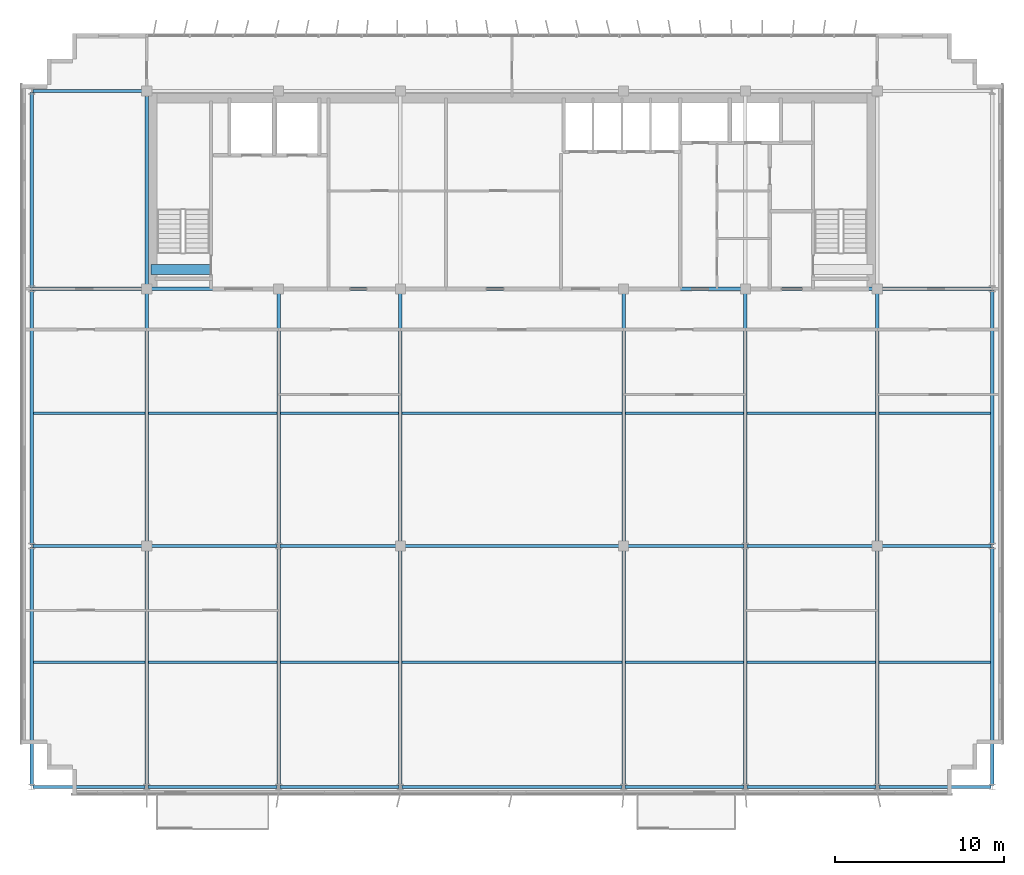
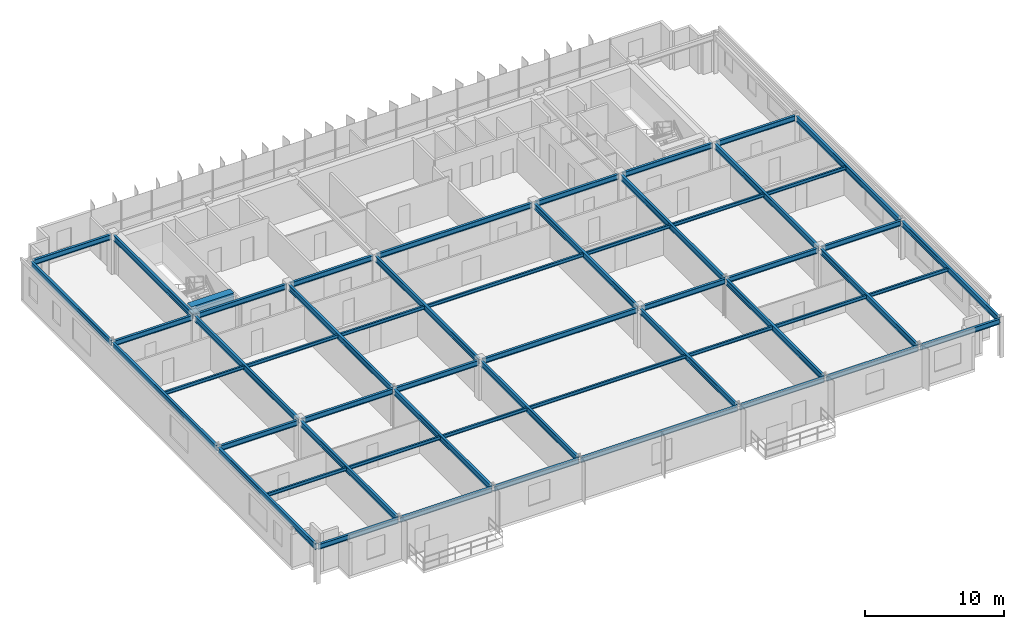
# One storey, part 5 of 21: 55 beams.
"""IFC4 building model written with IfcOpenShell, lengths in metres."""

from ifc_helpers import new_model, si_unit, direction, frame, origin, origin_2d, place, context, subcontext, project, spatial, rectangle, i_section, extrude, source, transform, mapped, material, material_profile, profile_set, type_object, element, save


model = new_model("IFC4")

# Units and contexts
model_context = context("Model", 3, precision=1e-05, world=origin(), true_north=direction((0.0, 1.0)))
body_context = subcontext(model_context, "Body", "Model", "MODEL_VIEW")
ifc_project = project(units=[si_unit("LENGTHUNIT", "METRE"), si_unit("AREAUNIT", "SQUARE_METRE"), si_unit("VOLUMEUNIT", "CUBIC_METRE"), si_unit("PLANEANGLEUNIT", "RADIAN"), si_unit("MASSUNIT", "GRAM", prefix="KILO")], contexts=[model_context])

# Site, building, storey
site_placement = place(None, origin())
site = spatial("IfcSite", under=ifc_project, at=site_placement, CompositionType="ELEMENT")
building_placement = place(site_placement, origin())
building = spatial("IfcBuilding", under=site, at=building_placement, Name="Trelvane Seafront Commons", CompositionType="ELEMENT")
storey_placement = place(building_placement, frame((0.0, 0.0, 255.89990234375)))
storey = spatial("IfcBuildingStorey", under=building, at=storey_placement, Name="L66", CompositionType="ELEMENT", Elevation=255.89990234375)

# Beams
ifc_material_1 = material(Name="Concrete C60/75", Category="concrete")
ifc_material_profile_1 = material_profile(ifc_material_1, rectangle(XDim=0.60009765625, YDim=0.89990234375, at=origin_2d()), Name="RC-600x900")
ifc_profile_set_1 = profile_set([ifc_material_profile_1], Name="Concrete C60/75")
beam_type_1 = type_object("IfcBeamType", Name="STR-LNT-RC600x900", PredefinedType="LINTEL", material=ifc_profile_set_1)
shared_shape_1 = source(origin(), body_context, "Body", "SweptSolid", [
    extrude(rectangle(XDim=0.60009765625, YDim=0.89990234375, at=origin_2d()), origin(), (0.0, 0.0, 1.0), 3.5498046875),
])
beam_1_placement = place(storey_placement, frame((15.85009765625, 34.550048828125, 2.920166015625), z_axis=(1.0, 0.0, 0.0), x_axis=(0.0, 1.0, 0.0)))
element("IfcBeam", 1, at=beam_1_placement, inside=storey, type_object=beam_type_1, Name="L66 Core Coupling Lintel Beam CB-67", PredefinedType="LINTEL", context=body_context, shape_type="MappedRepresentation", body=[
    mapped(shared_shape_1, transform((0.0, 0.0, 0.0), x_axis=(1.0, 0.0, 0.0), y_axis=(0.0, 1.0, 0.0), z_axis=(0.0, 0.0, 1.0), scale=1.0)),
])
ifc_material_2 = material(Name="Steel SM355 (S355)", Category="steel")
ifc_material_profile_2 = material_profile(ifc_material_2, i_section(OverallWidth=0.199951171875, OverallDepth=0.5, WebThickness=0.010009765625, FlangeThickness=0.01611328125, at=origin_2d()), Name="H-500x200x10x16")
ifc_profile_set_2 = profile_set([ifc_material_profile_2], Name="Steel SM355 (S355)")
beam_type_2 = type_object("IfcBeamType", Name="STR-BM-H500", PredefinedType="BEAM", material=ifc_profile_set_2)
shared_shape_2 = source(origin(), body_context, "Body", "SweptSolid", [
    extrude(i_section(OverallWidth=0.199951171875, OverallDepth=0.5, WebThickness=0.010009765625, FlangeThickness=0.01611328125, at=origin_2d()), origin(), (0.0, 0.0, 1.0), 14.89990234375),
])
for number, where, z_axis, x_axis, name in (
    (2, (15.60009765625, 18.35009765625, 3.1201171875), (0.0, 1.0, 0.0), (-1.0, 0.0, 0.0), "L66 Primary Girder G-33"),
    (3, (30.60009765625, 18.35009765625, 3.1201171875), (0.0, 1.0, 0.0), (-1.0, 0.0, 0.0), "L66 Primary Girder G-39"),
    (4, (43.800048828125, 18.35009765625, 3.1201171875), (0.0, 1.0, 0.0), (-1.0, 0.0, 0.0), "L66 Primary Girder G-42"),
    (5, (58.800048828125, 18.35009765625, 3.1201171875), (0.0, 1.0, 0.0), (-1.0, 0.0, 0.0), "L66 Primary Girder G-48"),
):
    element("IfcBeam", number, at=place(storey_placement, frame(where, z_axis=z_axis, x_axis=x_axis)), inside=storey, type_object=beam_type_2, Name=name, PredefinedType="BEAM", context=body_context, shape_type="MappedRepresentation", body=[
        mapped(shared_shape_2, transform((0.0, 0.0, 0.0), x_axis=(1.0, 0.0, 0.0), y_axis=(0.0, 1.0, 0.0), z_axis=(0.0, 0.0, 1.0), scale=1.0)),
    ])
shared_shape_3 = source(origin(), body_context, "Body", "SweptSolid", [
    extrude(i_section(OverallWidth=0.199951171875, OverallDepth=0.5, WebThickness=0.010009765625, FlangeThickness=0.01611328125, at=origin_2d()), origin(), (0.0, 0.0, 1.0), 11.39990234375),
])
beam_2_placement = place(storey_placement, frame((15.60009765625, 33.550048828125, 3.1201171875), z_axis=(0.0, 1.0, 0.0), x_axis=(-1.0, 0.0, 0.0)))
element("IfcBeam", 6, at=beam_2_placement, inside=storey, type_object=beam_type_2, Name="L66 Primary Girder G-34", PredefinedType="BEAM", context=body_context, shape_type="MappedRepresentation", body=[
    mapped(shared_shape_3, transform((0.0, 0.0, 0.0), x_axis=(1.0, 0.0, 0.0), y_axis=(0.0, 1.0, 0.0), z_axis=(0.0, 0.0, 1.0), scale=1.0)),
])
ifc_material_profile_3 = material_profile(ifc_material_2, i_section(OverallWidth=0.199951171875, OverallDepth=0.449951171875, WebThickness=0.009033203125, FlangeThickness=0.013916015625, at=origin_2d()), Name="H-450x200x9x14")
ifc_profile_set_3 = profile_set([ifc_material_profile_3], Name="Steel SM355 (S355)")
beam_type_3 = type_object("IfcBeamType", Name="STR-SPD-H450", PredefinedType="SPANDREL", material=ifc_profile_set_3)
shared_shape_4 = source(origin(), body_context, "Body", "SweptSolid", [
    extrude(i_section(OverallWidth=0.199951171875, OverallDepth=0.449951171875, WebThickness=0.009033203125, FlangeThickness=0.013916015625, at=origin_2d()), origin(), (0.0, 0.0, 1.0), 6.625),
])
for number, where, z_axis, x_axis, name in (
    (7, (8.887451171875, 3.949951171875, 3.14501953125), (1.0, 0.0, 0.0), (0.0, 1.0, 0.0), "L66 Primary Girder G-01"),
    (8, (58.887451171875, 3.949951171875, 3.14501953125), (1.0, 0.0, 0.0), (0.0, 1.0, 0.0), "L66 Primary Girder G-07"),
):
    element("IfcBeam", number, at=place(storey_placement, frame(where, z_axis=z_axis, x_axis=x_axis)), inside=storey, type_object=beam_type_3, Name=name, PredefinedType="SPANDREL", context=body_context, shape_type="MappedRepresentation", body=[
        mapped(shared_shape_4, transform((0.0, 0.0, 0.0), x_axis=(1.0, 0.0, 0.0), y_axis=(0.0, 1.0, 0.0), z_axis=(0.0, 0.0, 1.0), scale=1.0)),
    ])
shared_shape_5 = source(origin(), body_context, "Body", "SweptSolid", [
    extrude(i_section(OverallWidth=0.199951171875, OverallDepth=0.449951171875, WebThickness=0.009033203125, FlangeThickness=0.013916015625, at=origin_2d()), origin(), (0.0, 0.0, 1.0), 7.625),
])
for number, where, z_axis, x_axis, name in (
    (9, (15.6875, 3.949951171875, 3.14501953125), (1.0, 0.0, 0.0), (0.0, 1.0, 0.0), "L66 Primary Girder G-02"),
    (10, (51.08740234375, 3.949951171875, 3.14501953125), (1.0, 0.0, 0.0), (0.0, 1.0, 0.0), "L66 Primary Girder G-06"),
):
    element("IfcBeam", number, at=place(storey_placement, frame(where, z_axis=z_axis, x_axis=x_axis)), inside=storey, type_object=beam_type_3, Name=name, PredefinedType="SPANDREL", context=body_context, shape_type="MappedRepresentation", body=[
        mapped(shared_shape_5, transform((0.0, 0.0, 0.0), x_axis=(1.0, 0.0, 0.0), y_axis=(0.0, 1.0, 0.0), z_axis=(0.0, 0.0, 1.0), scale=1.0)),
    ])
shared_shape_6 = source(origin(), body_context, "Body", "SweptSolid", [
    extrude(i_section(OverallWidth=0.199951171875, OverallDepth=0.449951171875, WebThickness=0.009033203125, FlangeThickness=0.013916015625, at=origin_2d()), origin(), (0.0, 0.0, 1.0), 7.02490234375),
])
beam_3_placement = place(storey_placement, frame((23.487548828125, 3.949951171875, 3.14501953125), z_axis=(1.0, 0.0, 0.0), x_axis=(0.0, 1.0, 0.0)))
element("IfcBeam", 11, at=beam_3_placement, inside=storey, type_object=beam_type_3, Name="L66 Primary Girder G-03", PredefinedType="SPANDREL", context=body_context, shape_type="MappedRepresentation", body=[
    mapped(shared_shape_6, transform((0.0, 0.0, 0.0), x_axis=(1.0, 0.0, 0.0), y_axis=(0.0, 1.0, 0.0), z_axis=(0.0, 0.0, 1.0), scale=1.0)),
])
shared_shape_7 = source(origin(), body_context, "Body", "SweptSolid", [
    extrude(i_section(OverallWidth=0.199951171875, OverallDepth=0.449951171875, WebThickness=0.009033203125, FlangeThickness=0.013916015625, at=origin_2d()), origin(), (0.0, 0.0, 1.0), 7.025146484375),
])
beam_4_placement = place(storey_placement, frame((43.887451171875, 3.949951171875, 3.14501953125), z_axis=(1.0, 0.0, 0.0), x_axis=(0.0, 1.0, 0.0)))
element("IfcBeam", 12, at=beam_4_placement, inside=storey, type_object=beam_type_3, Name="L66 Primary Girder G-05", PredefinedType="SPANDREL", context=body_context, shape_type="MappedRepresentation", body=[
    mapped(shared_shape_7, transform((0.0, 0.0, 0.0), x_axis=(1.0, 0.0, 0.0), y_axis=(0.0, 1.0, 0.0), z_axis=(0.0, 0.0, 1.0), scale=1.0)),
])
shared_shape_8 = source(origin(), body_context, "Body", "SweptSolid", [
    extrude(i_section(OverallWidth=0.199951171875, OverallDepth=0.449951171875, WebThickness=0.009033203125, FlangeThickness=0.013916015625, at=origin_2d()), origin(), (0.0, 0.0, 1.0), 6.5625),
])
for number, where, z_axis, x_axis, name in (
    (13, (8.887451171875, 18.199951171875, 3.14501953125), (1.0, 0.0, 0.0), (0.0, 1.0, 0.0), "L66 Primary Girder G-08"),
    (14, (58.949951171875, 18.199951171875, 3.14501953125), (1.0, 0.0, 0.0), (0.0, 1.0, 0.0), "L66 Primary Girder G-14"),
    (15, (8.887451171875, 33.39990234375, 3.14501953125), (1.0, 0.0, 0.0), (0.0, 1.0, 0.0), "L66 Primary Girder G-15"),
    (16, (58.949951171875, 33.39990234375, 3.14501953125), (1.0, 0.0, 0.0), (0.0, 1.0, 0.0), "L66 Primary Girder G-21"),
    (17, (8.887451171875, 45.10009765625, 3.14501953125), (1.0, 0.0, 0.0), (0.0, 1.0, 0.0), "L66 Primary Girder G-22"),
):
    element("IfcBeam", number, at=place(storey_placement, frame(where, z_axis=z_axis, x_axis=x_axis)), inside=storey, type_object=beam_type_3, Name=name, PredefinedType="SPANDREL", context=body_context, shape_type="MappedRepresentation", body=[
        mapped(shared_shape_8, transform((0.0, 0.0, 0.0), x_axis=(1.0, 0.0, 0.0), y_axis=(0.0, 1.0, 0.0), z_axis=(0.0, 0.0, 1.0), scale=1.0)),
    ])
shared_shape_9 = source(origin(), body_context, "Body", "SweptSolid", [
    extrude(i_section(OverallWidth=0.199951171875, OverallDepth=0.449951171875, WebThickness=0.009033203125, FlangeThickness=0.013916015625, at=origin_2d()), origin(), (0.0, 0.0, 1.0), 7.5625),
])
for number, where, z_axis, x_axis, name in (
    (18, (15.75, 18.199951171875, 3.14501953125), (1.0, 0.0, 0.0), (0.0, 1.0, 0.0), "L66 Primary Girder G-09"),
    (19, (51.08740234375, 18.199951171875, 3.14501953125), (1.0, 0.0, 0.0), (0.0, 1.0, 0.0), "L66 Primary Girder G-13"),
):
    element("IfcBeam", number, at=place(storey_placement, frame(where, z_axis=z_axis, x_axis=x_axis)), inside=storey, type_object=beam_type_3, Name=name, PredefinedType="SPANDREL", context=body_context, shape_type="MappedRepresentation", body=[
        mapped(shared_shape_9, transform((0.0, 0.0, 0.0), x_axis=(1.0, 0.0, 0.0), y_axis=(0.0, 1.0, 0.0), z_axis=(0.0, 0.0, 1.0), scale=1.0)),
    ])
shared_shape_10 = source(origin(), body_context, "Body", "SweptSolid", [
    extrude(i_section(OverallWidth=0.199951171875, OverallDepth=0.449951171875, WebThickness=0.009033203125, FlangeThickness=0.013916015625, at=origin_2d()), origin(), (0.0, 0.0, 1.0), 6.96240234375),
])
beam_5_placement = place(storey_placement, frame((23.487548828125, 18.199951171875, 3.14501953125), z_axis=(1.0, 0.0, 0.0), x_axis=(0.0, 1.0, 0.0)))
element("IfcBeam", 20, at=beam_5_placement, inside=storey, type_object=beam_type_3, Name="L66 Primary Girder G-10", PredefinedType="SPANDREL", context=body_context, shape_type="MappedRepresentation", body=[
    mapped(shared_shape_10, transform((0.0, 0.0, 0.0), x_axis=(1.0, 0.0, 0.0), y_axis=(0.0, 1.0, 0.0), z_axis=(0.0, 0.0, 1.0), scale=1.0)),
])
shared_shape_11 = source(origin(), body_context, "Body", "SweptSolid", [
    extrude(i_section(OverallWidth=0.199951171875, OverallDepth=0.449951171875, WebThickness=0.009033203125, FlangeThickness=0.013916015625, at=origin_2d()), origin(), (0.0, 0.0, 1.0), 6.962646484375),
])
beam_6_placement = place(storey_placement, frame((43.949951171875, 18.199951171875, 3.14501953125), z_axis=(1.0, 0.0, 0.0), x_axis=(0.0, 1.0, 0.0)))
element("IfcBeam", 21, at=beam_6_placement, inside=storey, type_object=beam_type_3, Name="L66 Primary Girder G-12", PredefinedType="SPANDREL", context=body_context, shape_type="MappedRepresentation", body=[
    mapped(shared_shape_11, transform((0.0, 0.0, 0.0), x_axis=(1.0, 0.0, 0.0), y_axis=(0.0, 1.0, 0.0), z_axis=(0.0, 0.0, 1.0), scale=1.0)),
])
shared_shape_12 = source(origin(), body_context, "Body", "SweptSolid", [
    extrude(i_section(OverallWidth=0.199951171875, OverallDepth=0.449951171875, WebThickness=0.009033203125, FlangeThickness=0.013916015625, at=origin_2d()), origin(), (0.0, 0.0, 1.0), 7.5),
])
for number, where, z_axis, x_axis, name in (
    (22, (15.75, 33.39990234375, 3.14501953125), (1.0, 0.0, 0.0), (0.0, 1.0, 0.0), "L66 Primary Girder G-16"),
    (23, (51.14990234375, 33.39990234375, 3.14501953125), (1.0, 0.0, 0.0), (0.0, 1.0, 0.0), "L66 Primary Girder G-20"),
):
    element("IfcBeam", number, at=place(storey_placement, frame(where, z_axis=z_axis, x_axis=x_axis)), inside=storey, type_object=beam_type_3, Name=name, PredefinedType="SPANDREL", context=body_context, shape_type="MappedRepresentation", body=[
        mapped(shared_shape_12, transform((0.0, 0.0, 0.0), x_axis=(1.0, 0.0, 0.0), y_axis=(0.0, 1.0, 0.0), z_axis=(0.0, 0.0, 1.0), scale=1.0)),
    ])
shared_shape_13 = source(origin(), body_context, "Body", "SweptSolid", [
    extrude(i_section(OverallWidth=0.199951171875, OverallDepth=0.449951171875, WebThickness=0.009033203125, FlangeThickness=0.013916015625, at=origin_2d()), origin(), (0.0, 0.0, 1.0), 6.89990234375),
])
beam_7_placement = place(storey_placement, frame((23.550048828125, 33.39990234375, 3.14501953125), z_axis=(1.0, 0.0, 0.0), x_axis=(0.0, 1.0, 0.0)))
element("IfcBeam", 24, at=beam_7_placement, inside=storey, type_object=beam_type_3, Name="L66 Primary Girder G-17", PredefinedType="SPANDREL", context=body_context, shape_type="MappedRepresentation", body=[
    mapped(shared_shape_13, transform((0.0, 0.0, 0.0), x_axis=(1.0, 0.0, 0.0), y_axis=(0.0, 1.0, 0.0), z_axis=(0.0, 0.0, 1.0), scale=1.0)),
])
shared_shape_14 = source(origin(), body_context, "Body", "SweptSolid", [
    extrude(i_section(OverallWidth=0.199951171875, OverallDepth=0.449951171875, WebThickness=0.009033203125, FlangeThickness=0.013916015625, at=origin_2d()), origin(), (0.0, 0.0, 1.0), 12.89990234375),
])
for number, where, z_axis, x_axis, name in (
    (25, (30.75, 18.199951171875, 3.14501953125), (1.0, 0.0, 0.0), (0.0, 1.0, 0.0), "L66 Primary Girder G-11"),
    (26, (30.75, 33.39990234375, 3.14501953125), (1.0, 0.0, 0.0), (0.0, 1.0, 0.0), "L66 Primary Girder G-18"),
):
    element("IfcBeam", number, at=place(storey_placement, frame(where, z_axis=z_axis, x_axis=x_axis)), inside=storey, type_object=beam_type_3, Name=name, PredefinedType="SPANDREL", context=body_context, shape_type="MappedRepresentation", body=[
        mapped(shared_shape_14, transform((0.0, 0.0, 0.0), x_axis=(1.0, 0.0, 0.0), y_axis=(0.0, 1.0, 0.0), z_axis=(0.0, 0.0, 1.0), scale=1.0)),
    ])
shared_shape_15 = source(origin(), body_context, "Body", "SweptSolid", [
    extrude(i_section(OverallWidth=0.199951171875, OverallDepth=0.449951171875, WebThickness=0.009033203125, FlangeThickness=0.013916015625, at=origin_2d()), origin(), (0.0, 0.0, 1.0), 6.900146484375),
])
beam_8_placement = place(storey_placement, frame((43.949951171875, 33.39990234375, 3.14501953125), z_axis=(1.0, 0.0, 0.0), x_axis=(0.0, 1.0, 0.0)))
element("IfcBeam", 27, at=beam_8_placement, inside=storey, type_object=beam_type_3, Name="L66 Primary Girder G-19", PredefinedType="SPANDREL", context=body_context, shape_type="MappedRepresentation", body=[
    mapped(shared_shape_15, transform((0.0, 0.0, 0.0), x_axis=(1.0, 0.0, 0.0), y_axis=(0.0, 1.0, 0.0), z_axis=(0.0, 0.0, 1.0), scale=1.0)),
])
shared_shape_16 = source(origin(), body_context, "Body", "SweptSolid", [
    extrude(i_section(OverallWidth=0.199951171875, OverallDepth=0.5, WebThickness=0.010009765625, FlangeThickness=0.01611328125, at=origin_2d()), origin(), (0.0, 0.0, 1.0), 14.074951171875),
])
for number, where, z_axis, x_axis, name in (
    (28, (8.800048828125, 4.03759765625, 3.1201171875), (0.0, 1.0, 0.0), (-1.0, 0.0, 0.0), "L66 Primary Girder G-29"),
    (29, (23.39990234375, 4.03759765625, 3.1201171875), (0.0, 1.0, 0.0), (-1.0, 0.0, 0.0), "L66 Primary Girder G-35"),
    (30, (51.0, 4.03759765625, 3.1201171875), (0.0, 1.0, 0.0), (-1.0, 0.0, 0.0), "L66 Primary Girder G-44"),
    (31, (65.60009765625, 4.03759765625, 3.1201171875), (0.0, 1.0, 0.0), (-1.0, 0.0, 0.0), "L66 Primary Girder G-50"),
):
    element("IfcBeam", number, at=place(storey_placement, frame(where, z_axis=z_axis, x_axis=x_axis)), inside=storey, type_object=beam_type_2, Name=name, PredefinedType="BEAM", context=body_context, shape_type="MappedRepresentation", body=[
        mapped(shared_shape_16, transform((0.0, 0.0, 0.0), x_axis=(1.0, 0.0, 0.0), y_axis=(0.0, 1.0, 0.0), z_axis=(0.0, 0.0, 1.0), scale=1.0)),
    ])
shared_shape_17 = source(origin(), body_context, "Body", "SweptSolid", [
    extrude(i_section(OverallWidth=0.199951171875, OverallDepth=0.5, WebThickness=0.010009765625, FlangeThickness=0.01611328125, at=origin_2d()), origin(), (0.0, 0.0, 1.0), 15.02490234375),
])
for number, where, z_axis, x_axis, name in (
    (32, (8.800048828125, 18.28759765625, 3.1201171875), (0.0, 1.0, 0.0), (-1.0, 0.0, 0.0), "L66 Primary Girder G-30"),
    (33, (65.60009765625, 18.28759765625, 3.1201171875), (0.0, 1.0, 0.0), (-1.0, 0.0, 0.0), "L66 Primary Girder G-51"),
):
    element("IfcBeam", number, at=place(storey_placement, frame(where, z_axis=z_axis, x_axis=x_axis)), inside=storey, type_object=beam_type_2, Name=name, PredefinedType="BEAM", context=body_context, shape_type="MappedRepresentation", body=[
        mapped(shared_shape_17, transform((0.0, 0.0, 0.0), x_axis=(1.0, 0.0, 0.0), y_axis=(0.0, 1.0, 0.0), z_axis=(0.0, 0.0, 1.0), scale=1.0)),
    ])
shared_shape_18 = source(origin(), body_context, "Body", "SweptSolid", [
    extrude(i_section(OverallWidth=0.199951171875, OverallDepth=0.5, WebThickness=0.010009765625, FlangeThickness=0.01611328125, at=origin_2d()), origin(), (0.0, 0.0, 1.0), 11.52490234375),
])
beam_9_placement = place(storey_placement, frame((8.800048828125, 33.487548828125, 3.1201171875), z_axis=(0.0, 1.0, 0.0), x_axis=(-1.0, 0.0, 0.0)))
element("IfcBeam", 34, at=beam_9_placement, inside=storey, type_object=beam_type_2, Name="L66 Primary Girder G-31", PredefinedType="BEAM", context=body_context, shape_type="MappedRepresentation", body=[
    mapped(shared_shape_18, transform((0.0, 0.0, 0.0), x_axis=(1.0, 0.0, 0.0), y_axis=(0.0, 1.0, 0.0), z_axis=(0.0, 0.0, 1.0), scale=1.0)),
])
shared_shape_19 = source(origin(), body_context, "Body", "SweptSolid", [
    extrude(i_section(OverallWidth=0.199951171875, OverallDepth=0.5, WebThickness=0.010009765625, FlangeThickness=0.01611328125, at=origin_2d()), origin(), (0.0, 0.0, 1.0), 14.012451171875),
])
for number, where, z_axis, x_axis, name in (
    (35, (15.60009765625, 4.03759765625, 3.1201171875), (0.0, 1.0, 0.0), (-1.0, 0.0, 0.0), "L66 Primary Girder G-32"),
    (36, (30.60009765625, 4.03759765625, 3.1201171875), (0.0, 1.0, 0.0), (-1.0, 0.0, 0.0), "L66 Primary Girder G-38"),
    (37, (43.800048828125, 4.03759765625, 3.1201171875), (0.0, 1.0, 0.0), (-1.0, 0.0, 0.0), "L66 Primary Girder G-41"),
    (38, (58.800048828125, 4.03759765625, 3.1201171875), (0.0, 1.0, 0.0), (-1.0, 0.0, 0.0), "L66 Primary Girder G-47"),
):
    element("IfcBeam", number, at=place(storey_placement, frame(where, z_axis=z_axis, x_axis=x_axis)), inside=storey, type_object=beam_type_2, Name=name, PredefinedType="BEAM", context=body_context, shape_type="MappedRepresentation", body=[
        mapped(shared_shape_19, transform((0.0, 0.0, 0.0), x_axis=(1.0, 0.0, 0.0), y_axis=(0.0, 1.0, 0.0), z_axis=(0.0, 0.0, 1.0), scale=1.0)),
    ])
shared_shape_20 = source(origin(), body_context, "Body", "SweptSolid", [
    extrude(i_section(OverallWidth=0.199951171875, OverallDepth=0.5, WebThickness=0.010009765625, FlangeThickness=0.01611328125, at=origin_2d()), origin(), (0.0, 0.0, 1.0), 14.96240234375),
])
for number, where, z_axis, x_axis, name in (
    (39, (23.39990234375, 18.28759765625, 3.1201171875), (0.0, 1.0, 0.0), (-1.0, 0.0, 0.0), "L66 Primary Girder G-36"),
    (40, (51.0, 18.28759765625, 3.1201171875), (0.0, 1.0, 0.0), (-1.0, 0.0, 0.0), "L66 Primary Girder G-45"),
):
    element("IfcBeam", number, at=place(storey_placement, frame(where, z_axis=z_axis, x_axis=x_axis)), inside=storey, type_object=beam_type_2, Name=name, PredefinedType="BEAM", context=body_context, shape_type="MappedRepresentation", body=[
        mapped(shared_shape_20, transform((0.0, 0.0, 0.0), x_axis=(1.0, 0.0, 0.0), y_axis=(0.0, 1.0, 0.0), z_axis=(0.0, 0.0, 1.0), scale=1.0)),
    ])
ifc_material_profile_4 = material_profile(ifc_material_2, i_section(OverallWidth=0.14990234375, OverallDepth=0.300048828125, WebThickness=0.006591796875, FlangeThickness=0.009033203125, at=origin_2d()), Name="H-300x150x6.5x9")
ifc_profile_set_4 = profile_set([ifc_material_profile_4], Name="Steel SM355 (S355)")
beam_type_4 = type_object("IfcBeamType", Name="STR-JST-H300", PredefinedType="JOIST", material=ifc_profile_set_4)
shared_shape_21 = source(origin(), body_context, "Body", "SweptSolid", [
    extrude(i_section(OverallWidth=0.14990234375, OverallDepth=0.300048828125, WebThickness=0.006591796875, FlangeThickness=0.009033203125, at=origin_2d()), origin(), (0.0, 0.0, 1.0), 6.60009765625),
])
for number, where, z_axis, x_axis, name in (
    (41, (8.89990234375, 11.324951171875, 3.22021484375), (1.0, 0.0, 0.0), (0.0, 1.0, 0.0), "L66 Secondary Floor Joist B-53"),
    (42, (58.89990234375, 11.324951171875, 3.22021484375), (1.0, 0.0, 0.0), (0.0, 1.0, 0.0), "L66 Secondary Floor Joist B-59"),
    (43, (8.89990234375, 26.050048828125, 3.22021484375), (1.0, 0.0, 0.0), (0.0, 1.0, 0.0), "L66 Secondary Floor Joist B-60"),
    (44, (58.89990234375, 26.050048828125, 3.22021484375), (1.0, 0.0, 0.0), (0.0, 1.0, 0.0), "L66 Secondary Floor Joist B-66"),
):
    element("IfcBeam", number, at=place(storey_placement, frame(where, z_axis=z_axis, x_axis=x_axis)), inside=storey, type_object=beam_type_4, Name=name, PredefinedType="JOIST", context=body_context, shape_type="MappedRepresentation", body=[
        mapped(shared_shape_21, transform((0.0, 0.0, 0.0), x_axis=(1.0, 0.0, 0.0), y_axis=(0.0, 1.0, 0.0), z_axis=(0.0, 0.0, 1.0), scale=1.0)),
    ])
shared_shape_22 = source(origin(), body_context, "Body", "SweptSolid", [
    extrude(i_section(OverallWidth=0.14990234375, OverallDepth=0.300048828125, WebThickness=0.006591796875, FlangeThickness=0.009033203125, at=origin_2d()), origin(), (0.0, 0.0, 1.0), 7.60009765625),
])
for number, where, z_axis, x_axis, name in (
    (45, (15.699951171875, 11.324951171875, 3.22021484375), (1.0, 0.0, 0.0), (0.0, 1.0, 0.0), "L66 Secondary Floor Joist B-54"),
    (46, (15.699951171875, 26.050048828125, 3.22021484375), (1.0, 0.0, 0.0), (0.0, 1.0, 0.0), "L66 Secondary Floor Joist B-61"),
):
    element("IfcBeam", number, at=place(storey_placement, frame(where, z_axis=z_axis, x_axis=x_axis)), inside=storey, type_object=beam_type_4, Name=name, PredefinedType="JOIST", context=body_context, shape_type="MappedRepresentation", body=[
        mapped(shared_shape_22, transform((0.0, 0.0, 0.0), x_axis=(1.0, 0.0, 0.0), y_axis=(0.0, 1.0, 0.0), z_axis=(0.0, 0.0, 1.0), scale=1.0)),
    ])
shared_shape_23 = source(origin(), body_context, "Body", "SweptSolid", [
    extrude(i_section(OverallWidth=0.14990234375, OverallDepth=0.300048828125, WebThickness=0.006591796875, FlangeThickness=0.009033203125, at=origin_2d()), origin(), (0.0, 0.0, 1.0), 7.0),
])
for number, where, z_axis, x_axis, name in (
    (47, (23.5, 11.324951171875, 3.22021484375), (1.0, 0.0, 0.0), (0.0, 1.0, 0.0), "L66 Secondary Floor Joist B-55"),
    (48, (43.89990234375, 11.324951171875, 3.22021484375), (1.0, 0.0, 0.0), (0.0, 1.0, 0.0), "L66 Secondary Floor Joist B-57"),
    (49, (23.5, 26.050048828125, 3.22021484375), (1.0, 0.0, 0.0), (0.0, 1.0, 0.0), "L66 Secondary Floor Joist B-62"),
    (50, (43.89990234375, 26.050048828125, 3.22021484375), (1.0, 0.0, 0.0), (0.0, 1.0, 0.0), "L66 Secondary Floor Joist B-64"),
):
    element("IfcBeam", number, at=place(storey_placement, frame(where, z_axis=z_axis, x_axis=x_axis)), inside=storey, type_object=beam_type_4, Name=name, PredefinedType="JOIST", context=body_context, shape_type="MappedRepresentation", body=[
        mapped(shared_shape_23, transform((0.0, 0.0, 0.0), x_axis=(1.0, 0.0, 0.0), y_axis=(0.0, 1.0, 0.0), z_axis=(0.0, 0.0, 1.0), scale=1.0)),
    ])
shared_shape_24 = source(origin(), body_context, "Body", "SweptSolid", [
    extrude(i_section(OverallWidth=0.14990234375, OverallDepth=0.300048828125, WebThickness=0.006591796875, FlangeThickness=0.009033203125, at=origin_2d()), origin(), (0.0, 0.0, 1.0), 7.599853515625),
])
for number, where, z_axis, x_axis, name in (
    (51, (51.10009765625, 11.324951171875, 3.22021484375), (1.0, 0.0, 0.0), (0.0, 1.0, 0.0), "L66 Secondary Floor Joist B-58"),
    (52, (51.10009765625, 26.050048828125, 3.22021484375), (1.0, 0.0, 0.0), (0.0, 1.0, 0.0), "L66 Secondary Floor Joist B-65"),
):
    element("IfcBeam", number, at=place(storey_placement, frame(where, z_axis=z_axis, x_axis=x_axis)), inside=storey, type_object=beam_type_4, Name=name, PredefinedType="JOIST", context=body_context, shape_type="MappedRepresentation", body=[
        mapped(shared_shape_24, transform((0.0, 0.0, 0.0), x_axis=(1.0, 0.0, 0.0), y_axis=(0.0, 1.0, 0.0), z_axis=(0.0, 0.0, 1.0), scale=1.0)),
    ])
shared_shape_25 = source(origin(), body_context, "Body", "SweptSolid", [
    extrude(i_section(OverallWidth=0.14990234375, OverallDepth=0.300048828125, WebThickness=0.006591796875, FlangeThickness=0.009033203125, at=origin_2d()), origin(), (0.0, 0.0, 1.0), 13.0),
])
for number, where, z_axis, x_axis, name in (
    (53, (30.699951171875, 11.324951171875, 3.22021484375), (1.0, 0.0, 0.0), (0.0, 1.0, 0.0), "L66 Secondary Floor Joist B-56"),
    (54, (30.699951171875, 26.050048828125, 3.22021484375), (1.0, 0.0, 0.0), (0.0, 1.0, 0.0), "L66 Secondary Floor Joist B-63"),
):
    element("IfcBeam", number, at=place(storey_placement, frame(where, z_axis=z_axis, x_axis=x_axis)), inside=storey, type_object=beam_type_4, Name=name, PredefinedType="JOIST", context=body_context, shape_type="MappedRepresentation", body=[
        mapped(shared_shape_25, transform((0.0, 0.0, 0.0), x_axis=(1.0, 0.0, 0.0), y_axis=(0.0, 1.0, 0.0), z_axis=(0.0, 0.0, 1.0), scale=1.0)),
    ])
shared_shape_26 = source(origin(), body_context, "Body", "SweptSolid", [
    extrude(i_section(OverallWidth=0.199951171875, OverallDepth=0.449951171875, WebThickness=0.009033203125, FlangeThickness=0.013916015625, at=origin_2d()), origin(), (0.0, 0.0, 1.0), 13.02490234375),
])
beam_10_placement = place(storey_placement, frame((30.6875, 3.949951171875, 3.14501953125), z_axis=(1.0, 0.0, 0.0), x_axis=(0.0, 1.0, 0.0)))
element("IfcBeam", 55, at=beam_10_placement, inside=storey, type_object=beam_type_3, Name="L66 Primary Girder G-04", PredefinedType="SPANDREL", context=body_context, shape_type="MappedRepresentation", body=[
    mapped(shared_shape_26, transform((0.0, 0.0, 0.0), x_axis=(1.0, 0.0, 0.0), y_axis=(0.0, 1.0, 0.0), z_axis=(0.0, 0.0, 1.0), scale=1.0)),
])

save(model, "model.ifc")
